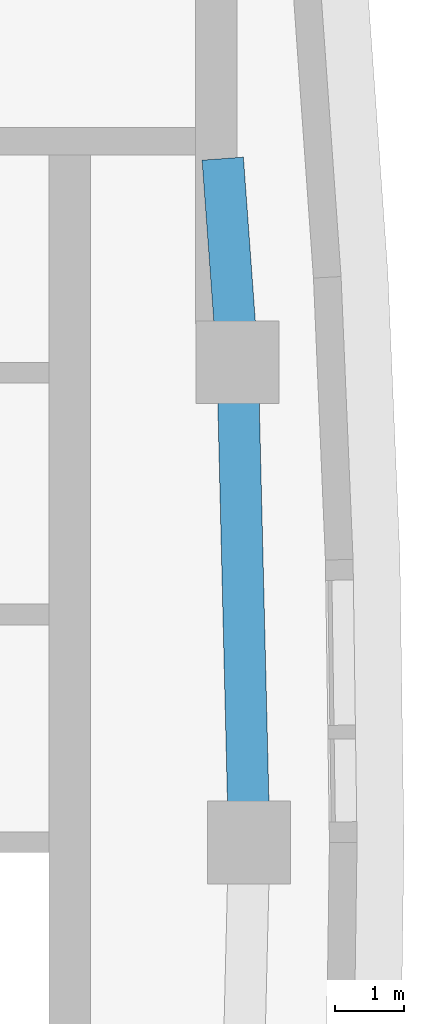
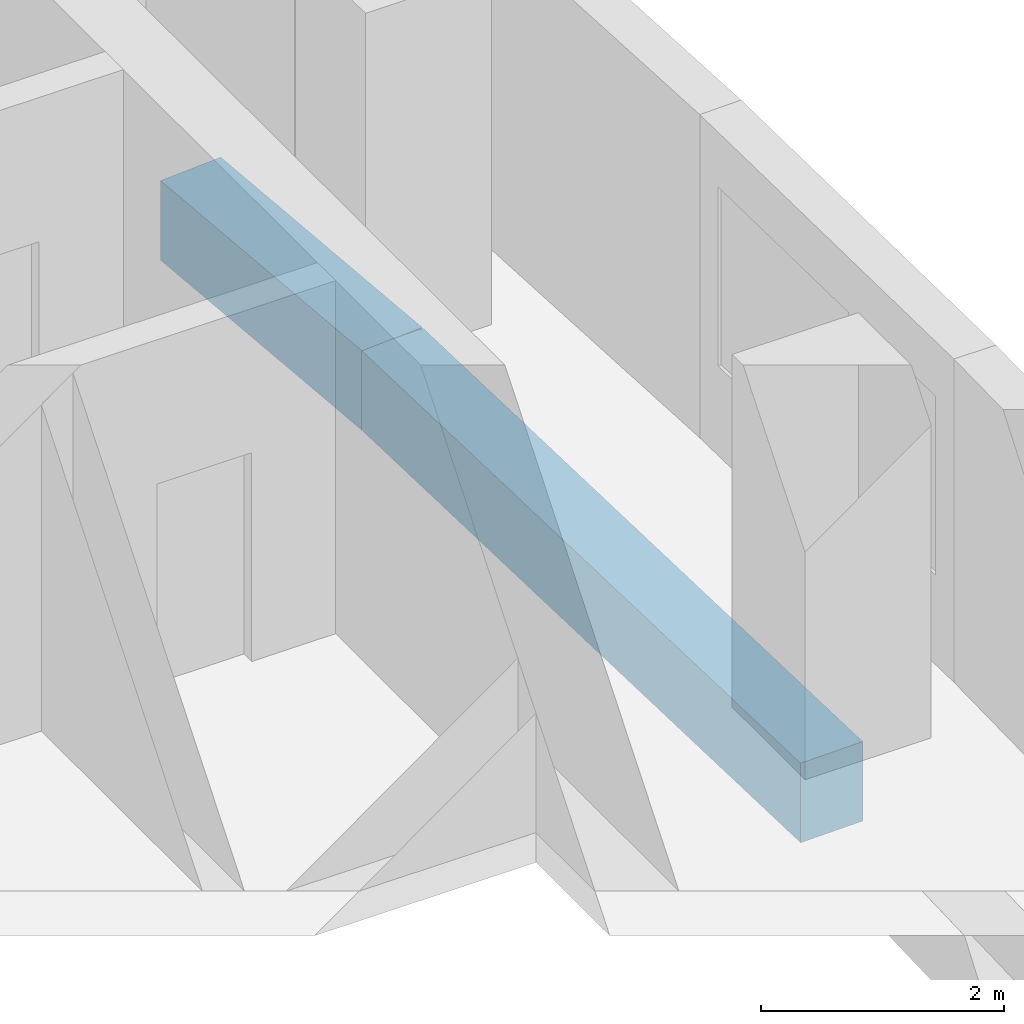
# One storey, part 5 of 16: 2 beams.
"""IFC4 building model written with IfcOpenShell, lengths in metres."""

from ifc_helpers import new_model, si_unit, direction, frame, origin, origin_2d, place, context, subcontext, project, spatial, rectangle, extrude, material, material_profile, profile_set, type_object, element, save


model = new_model("IFC4")

# Units and contexts
model_context = context("Model", 3, precision=1e-05, world=origin(), true_north=direction((0.0, 1.0)))
body_context = subcontext(model_context, "Body", "Model", "MODEL_VIEW")
ifc_project = project(units=[si_unit("LENGTHUNIT", "METRE"), si_unit("AREAUNIT", "SQUARE_METRE"), si_unit("VOLUMEUNIT", "CUBIC_METRE"), si_unit("PLANEANGLEUNIT", "RADIAN"), si_unit("MASSUNIT", "GRAM", prefix="KILO")], contexts=[model_context])

# Site, building, storey
site_placement = place(None, origin())
site = spatial("IfcSite", under=ifc_project, at=site_placement, CompositionType="ELEMENT")
building_placement = place(site_placement, origin())
building = spatial("IfcBuilding", under=site, at=building_placement, Name="Ostrand Prow Hotel Tower", CompositionType="ELEMENT")
storey_placement = place(building_placement, frame((0.0, 0.0, 249.199951171875)))
storey = spatial("IfcBuildingStorey", under=building, at=storey_placement, Name="L63", CompositionType="ELEMENT", Elevation=249.199951171875)

# Beams
ifc_material = material(Name="Concrete C50/60", Category="concrete")
ifc_material_profile = material_profile(ifc_material, rectangle(XDim=0.60009765625, YDim=0.800048828125, at=origin_2d()), Name="RC 600x800")
ifc_profile_set = profile_set([ifc_material_profile], Name="Concrete C50/60")
beam_type = type_object("IfcBeamType", Name="Edge beam 600x800 C50/60", PredefinedType="SPANDREL", material=ifc_profile_set)
beam_1_placement = place(storey_placement, frame((64.5, 0.0, -0.699951171875), z_axis=(-0.024223820991, 0.999706560195, 0.0), x_axis=(-0.999706560195, -0.024223820991, 0.0)))
element("IfcBeam", 1, at=beam_1_placement, inside=storey, type_object=beam_type, Name="Edge beam B3-B4", PredefinedType="SPANDREL", context=body_context, shape_type="SweptSolid", body=[
    extrude(rectangle(XDim=0.60009765625, YDim=0.800048828125, at=origin_2d()), origin(), (0.0, 0.0, 1.0), 6.9541015625),
])
beam_2_placement = place(storey_placement, frame((64.33154296875, 6.9521484375, -0.699951171875), z_axis=(-0.072691068771, 0.997354504938, 0.0), x_axis=(-0.997354504938, -0.072691068771, 0.0)))
element("IfcBeam", 2, at=beam_2_placement, inside=storey, type_object=beam_type, Name="Edge beam B4-B5", PredefinedType="SPANDREL", context=body_context, shape_type="SweptSolid", body=[
    extrude(rectangle(XDim=0.60009765625, YDim=0.800048828125, at=origin_2d()), origin(), (0.0, 0.0, 1.0), 2.95556640625),
])

save(model, "model.ifc")
